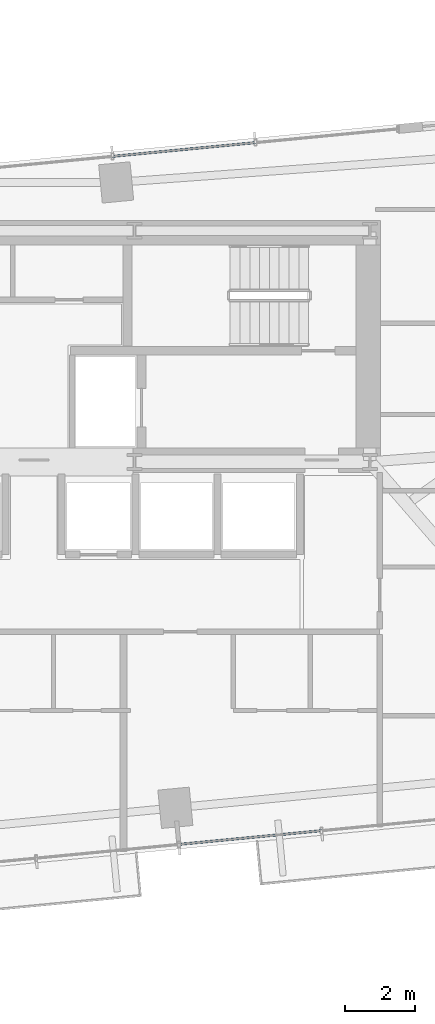
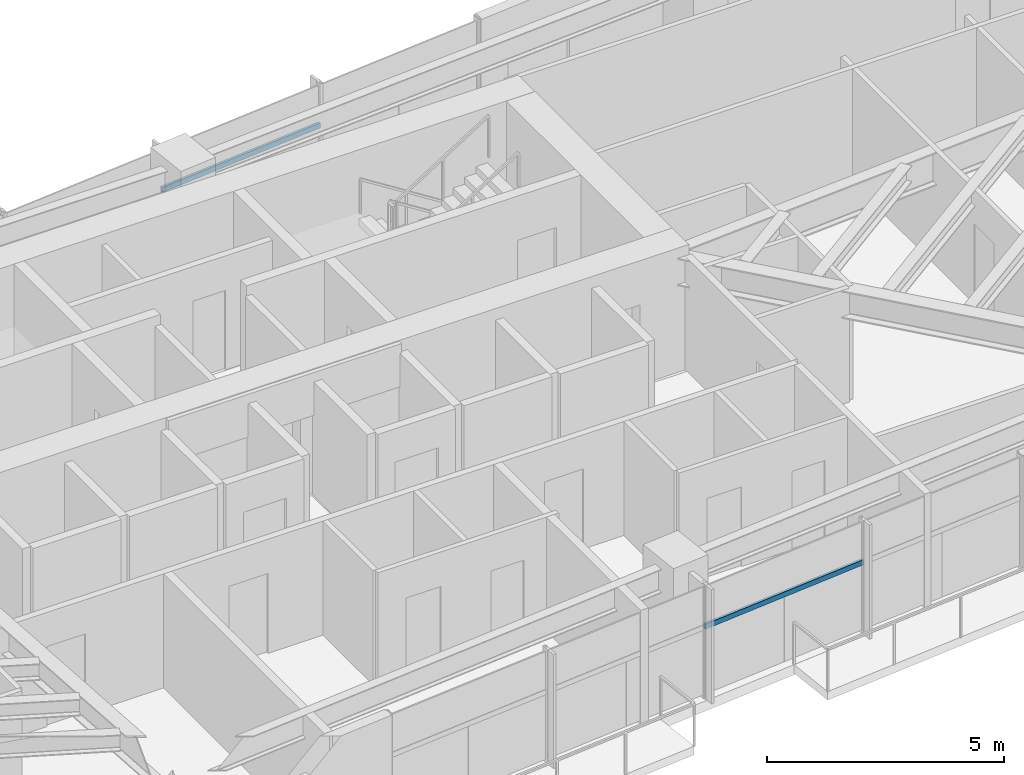
# One storey, part 11 of 25: 2 members, 2 elements without a shape of their own.
"""IFC4 building model written with IfcOpenShell, lengths in metres."""

from ifc_helpers import new_model, si_unit, direction, frame, origin, origin_2d, place, context, subcontext, project, spatial, hollow_rectangle, extrude, source, transform, mapped, material, material_profile, profile_set, type_object, type_shapes, element, aggregate, save


model = new_model("IFC4")

# Units and contexts
model_context = context("Model", 3, precision=1e-05, world=origin(), true_north=direction((0.0, 1.0)))
body_context = subcontext(model_context, "Body", "Model", "MODEL_VIEW")
ifc_project = project(units=[si_unit("LENGTHUNIT", "METRE"), si_unit("AREAUNIT", "SQUARE_METRE"), si_unit("VOLUMEUNIT", "CUBIC_METRE"), si_unit("PLANEANGLEUNIT", "RADIAN"), si_unit("MASSUNIT", "GRAM", prefix="KILO")], contexts=[model_context])

# Site, building, storey
site_placement = place(None, origin())
site = spatial("IfcSite", under=ifc_project, at=site_placement, CompositionType="ELEMENT")
building_placement = place(site_placement, origin())
building = spatial("IfcBuilding", under=site, at=building_placement, Name="Astriad Promenade Condominiums", CompositionType="ELEMENT")
storey_placement = place(building_placement, frame((0.0, 0.0, 100.199951171875)))
storey = spatial("IfcBuildingStorey", under=building, at=storey_placement, Name="L28", CompositionType="ELEMENT", Elevation=100.199951171875)

# Curtain wall, member
ifc_material_1 = material(Name="Anodised aluminium Black Dark Glass Unitised", Category="aluminium")
curtain_wall_type = type_object("IfcCurtainWallType", Name="CW-B2-DARK", PredefinedType="USERDEFINED", material=ifc_material_1)
curtain_wall_1_placement = place(storey_placement, origin())
curtain_wall_1 = element("IfcCurtainWall", 1, at=curtain_wall_1_placement, inside=storey, type_object=curtain_wall_type, Name="CW-L28-N", ObjectType="UNITISED_CURTAIN_WALL", PredefinedType="USERDEFINED")
ifc_material_2 = material(Name="Anodised aluminium 6063-T6 Black", Category="aluminium")
ifc_material_profile = material_profile(ifc_material_2, hollow_rectangle(XDim=0.06494140625, YDim=0.1298828125, WallThickness=0.00390625, at=origin_2d()), Name="ALU-TRN-65X130")
ifc_profile_set = profile_set([ifc_material_profile], Name="Anodised aluminium 6063-T6 Black")
member_type = type_object("IfcMemberType", Name="TRN-ALU-TRN-65X130", PredefinedType="USERDEFINED", material=ifc_profile_set)
shared_shape = source(origin(), body_context, "Body", "SweptSolid", [
    extrude(hollow_rectangle(XDim=0.06494140625, YDim=0.1298828125, WallThickness=0.00390625, at=origin_2d()), origin(), (0.0, 0.0, 1.0), 4.094970703125),
])
type_shapes(member_type, [shared_shape])
member_1_placement = place(storey_placement, frame((38.25390625, 26.12451171875, 1.82275390625), z_axis=(0.995394161585, 0.09586690296, 0.0), x_axis=(-0.09586690296, 0.995394161585, 0.0)))
member_1 = element("IfcMember", 2, at=member_1_placement, type_object=member_type, Name="CW-L28-N-TRN-02-0", ObjectType="TRANSOM", PredefinedType="USERDEFINED", context=body_context, shape_type="MappedRepresentation", body=[
    mapped(shared_shape, transform((0.0, 0.0, 0.0), scale=1.0)),
])
aggregate(curtain_wall_1, [member_1])

curtain_wall_2_placement = place(storey_placement, origin())
curtain_wall_2 = element("IfcCurtainWall", 3, at=curtain_wall_2_placement, inside=storey, type_object=curtain_wall_type, Name="CW-L28-S", ObjectType="UNITISED_CURTAIN_WALL", PredefinedType="USERDEFINED")
member_2_placement = place(storey_placement, frame((44.22216796875, 6.867919921875, 1.82275390625), z_axis=(-0.995394161585, -0.09586690296, 0.0), x_axis=(0.09586690296, -0.995394161585, 0.0)))
member_2 = element("IfcMember", 4, at=member_2_placement, type_object=member_type, Name="CW-L28-S-TRN-01-0", ObjectType="TRANSOM", PredefinedType="USERDEFINED", context=body_context, shape_type="MappedRepresentation", body=[
    mapped(shared_shape, transform((0.0, 0.0, 0.0), scale=1.0)),
])
aggregate(curtain_wall_2, [member_2])

save(model, "model.ifc")
